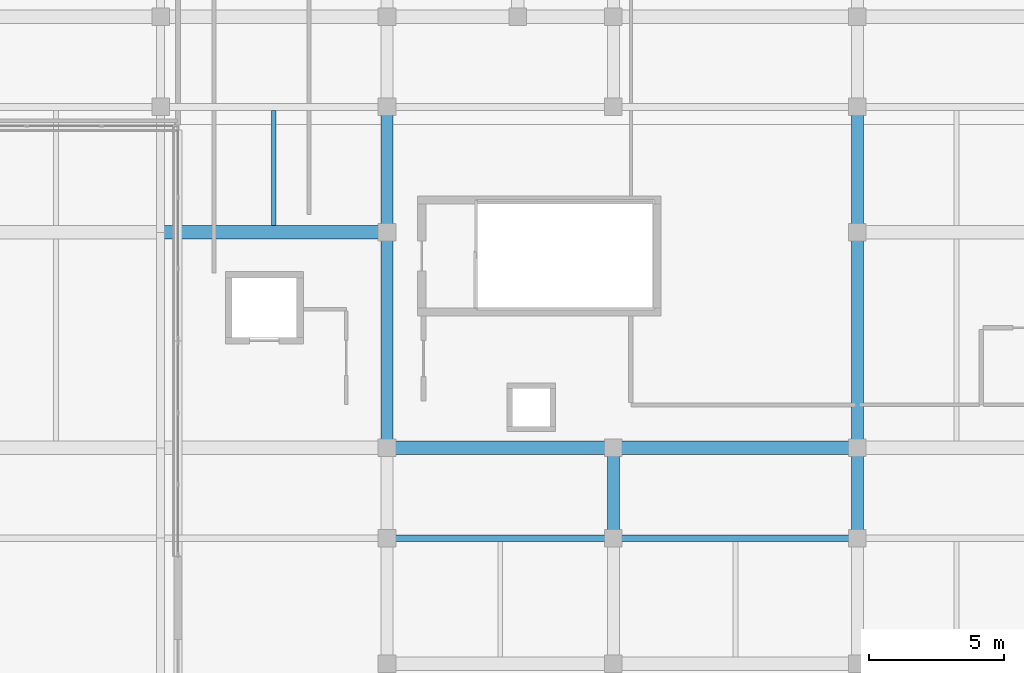
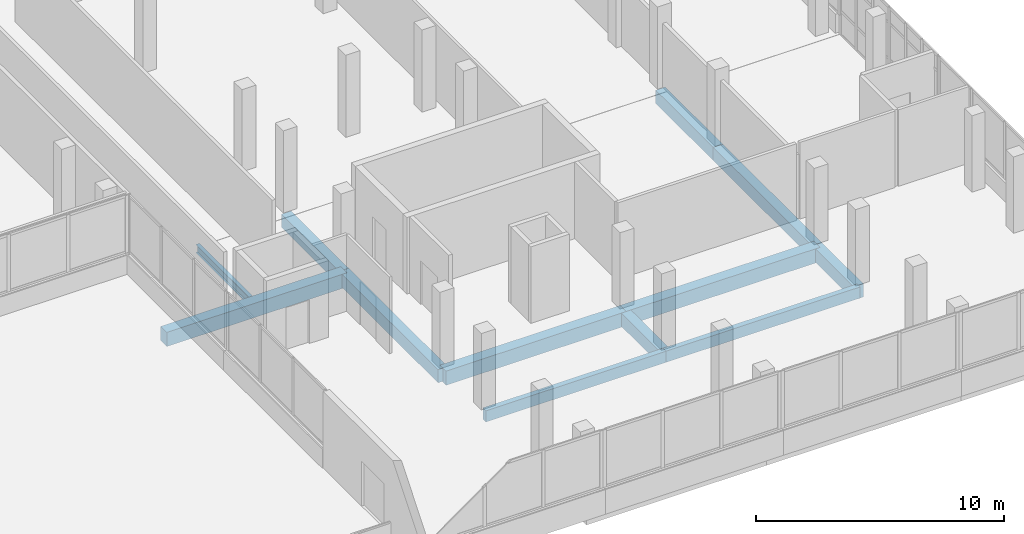
# One storey, part 46 of 78: 12 beams.
"""IFC4 building model written with IfcOpenShell, lengths in metres."""

from ifc_helpers import new_model, si_unit, direction, frame, origin, origin_2d, place, context, subcontext, project, spatial, rectangle, i_section, extrude, material, material_profile, profile_set, type_object, element, save


model = new_model("IFC4")

# Units and contexts
model_context = context("Model", 3, precision=1e-05, world=origin(), true_north=direction((0.0, 1.0)))
body_context = subcontext(model_context, "Body", "Model", "MODEL_VIEW")
ifc_project = project(units=[si_unit("LENGTHUNIT", "METRE"), si_unit("AREAUNIT", "SQUARE_METRE"), si_unit("VOLUMEUNIT", "CUBIC_METRE"), si_unit("PLANEANGLEUNIT", "RADIAN"), si_unit("MASSUNIT", "GRAM", prefix="KILO")], contexts=[model_context])

# Site, building, storey
site_placement = place(None, origin())
site = spatial("IfcSite", under=ifc_project, at=site_placement, CompositionType="ELEMENT")
building_placement = place(site_placement, origin())
building = spatial("IfcBuilding", under=site, at=building_placement, Name="Selatvlak General Hospital", CompositionType="ELEMENT")
storey_placement = place(building_placement, frame((0.0, 0.0, 23.25)))
storey = spatial("IfcBuildingStorey", under=building, at=storey_placement, Name="L05", CompositionType="ELEMENT", Elevation=23.25)

# Beams
ifc_material_1 = material(Name="Concrete C40/50", Category="concrete")
ifc_material_profile_1 = material_profile(ifc_material_1, rectangle(XDim=0.5, YDim=0.699951171875, at=origin_2d()), Name="RC-BM 500x700")
ifc_profile_set_1 = profile_set([ifc_material_profile_1], Name="Concrete C40/50")
beam_type_1 = type_object("IfcBeamType", Name="BM-G03", PredefinedType="BEAM", material=ifc_profile_set_1)
beam_1_placement = place(storey_placement, frame((156.550048828125, 76.0, -0.6298828125), z_axis=(1.0, 0.0, 0.0), x_axis=(0.0, 1.0, 0.0)))
element("IfcBeam", 1, at=beam_1_placement, inside=storey, type_object=beam_type_1, Name="Beam BMR-L05-1876", PredefinedType="BEAM", context=body_context, shape_type="SweptSolid", body=[
    extrude(rectangle(XDim=0.5, YDim=0.699951171875, at=origin_2d()), origin(), (0.0, 0.0, 1.0), 8.39990234375),
])
beam_2_placement = place(storey_placement, frame((164.949951171875, 76.0, -0.6298828125), z_axis=(1.0, 0.0, 0.0), x_axis=(0.0, 1.0, 0.0)))
element("IfcBeam", 2, at=beam_2_placement, inside=storey, type_object=beam_type_1, Name="Beam BMR-L05-1877", PredefinedType="BEAM", context=body_context, shape_type="SweptSolid", body=[
    extrude(rectangle(XDim=0.5, YDim=0.699951171875, at=origin_2d()), origin(), (0.0, 0.0, 1.0), 9.050048828125),
])
beam_3_placement = place(storey_placement, frame((148.14990234375, 84.0, -0.6298828125), z_axis=(1.0, 0.0, 0.0), x_axis=(0.0, 1.0, 0.0)))
element("IfcBeam", 3, at=beam_3_placement, inside=storey, type_object=beam_type_1, Name="Beam BMR-L05-1882", PredefinedType="BEAM", context=body_context, shape_type="SweptSolid", body=[
    extrude(rectangle(XDim=0.5, YDim=0.699951171875, at=origin_2d()), origin(), (0.0, 0.0, 1.0), 8.400146484375),
])
ifc_material_profile_2 = material_profile(ifc_material_1, rectangle(XDim=0.449951171875, YDim=0.64990234375, at=origin_2d()), Name="RC-BM 450x650")
ifc_profile_set_2 = profile_set([ifc_material_profile_2], Name="Concrete C40/50")
beam_type_2 = type_object("IfcBeamType", Name="BM-G04", PredefinedType="BEAM", material=ifc_profile_set_2)
beam_4_placement = place(storey_placement, frame((156.550048828125, 76.0, -0.60498046875), z_axis=(0.0, 1.0, 0.0), x_axis=(-1.0, 0.0, 0.0)))
element("IfcBeam", 4, at=beam_4_placement, inside=storey, type_object=beam_type_2, Name="Beam BMR-L05-2081", PredefinedType="BEAM", context=body_context, shape_type="SweptSolid", body=[
    extrude(rectangle(XDim=0.449951171875, YDim=0.64990234375, at=origin_2d()), origin(), (0.0, 0.0, 1.0), 8.0),
])
beam_5_placement = place(storey_placement, frame((156.550048828125, 84.0, -0.60498046875), z_axis=(0.0, 1.0, 0.0), x_axis=(-1.0, 0.0, 0.0)))
element("IfcBeam", 5, at=beam_5_placement, inside=storey, type_object=beam_type_2, Name="Beam BMR-L05-2082", PredefinedType="BEAM", context=body_context, shape_type="SweptSolid", body=[
    extrude(rectangle(XDim=0.449951171875, YDim=0.64990234375, at=origin_2d()), origin(), (0.0, 0.0, 1.0), 4.64990234375),
])
for number, where, z_axis, x_axis, name in (
    (6, (164.949951171875, 72.64990234375, -0.60498046875), (0.0, 1.0, 0.0), (-1.0, 0.0, 0.0), "Beam BMR-L05-2090"),
    (7, (174.0, 72.64990234375, -0.60498046875), (0.0, 1.0, 0.0), (-1.0, 0.0, 0.0), "Beam BMR-L05-2097"),
):
    element("IfcBeam", number, at=place(storey_placement, frame(where, z_axis=z_axis, x_axis=x_axis)), inside=storey, type_object=beam_type_2, Name=name, PredefinedType="BEAM", context=body_context, shape_type="SweptSolid", body=[
        extrude(rectangle(XDim=0.449951171875, YDim=0.64990234375, at=origin_2d()), origin(), (0.0, 0.0, 1.0), 3.35009765625),
    ])
beam_6_placement = place(storey_placement, frame((174.0, 76.0, -0.60498046875), z_axis=(0.0, 1.0, 0.0), x_axis=(-1.0, 0.0, 0.0)))
element("IfcBeam", 8, at=beam_6_placement, inside=storey, type_object=beam_type_2, Name="Beam BMR-L05-2098", PredefinedType="BEAM", context=body_context, shape_type="SweptSolid", body=[
    extrude(rectangle(XDim=0.449951171875, YDim=0.64990234375, at=origin_2d()), origin(), (0.0, 0.0, 1.0), 8.0),
])
beam_7_placement = place(storey_placement, frame((174.0, 84.0, -0.60498046875), z_axis=(0.0, 1.0, 0.0), x_axis=(-1.0, 0.0, 0.0)))
element("IfcBeam", 9, at=beam_7_placement, inside=storey, type_object=beam_type_2, Name="Beam BMR-L05-2099", PredefinedType="BEAM", context=body_context, shape_type="SweptSolid", body=[
    extrude(rectangle(XDim=0.449951171875, YDim=0.64990234375, at=origin_2d()), origin(), (0.0, 0.0, 1.0), 4.64990234375),
])
ifc_material_2 = material(Name="Steel S355", Category="steel")
ifc_material_profile_3 = material_profile(ifc_material_2, i_section(OverallWidth=0.177978515625, OverallDepth=0.406494140625, WebThickness=0.0078125, FlangeThickness=0.0126953125, at=origin_2d()), Name="UB 406x178x60")
ifc_profile_set_3 = profile_set([ifc_material_profile_3], Name="Steel S355")
beam_type_3 = type_object("IfcBeamType", Name="BM-J04", PredefinedType="JOIST", material=ifc_profile_set_3)
beam_8_placement = place(storey_placement, frame((152.35009765625, 84.25, -0.48291015625), z_axis=(0.0, 1.0, 0.0), x_axis=(-1.0, 0.0, 0.0)))
element("IfcBeam", 10, at=beam_8_placement, inside=storey, type_object=beam_type_3, Name="Beam BMR-L05-2125", PredefinedType="JOIST", context=body_context, shape_type="SweptSolid", body=[
    extrude(i_section(OverallWidth=0.177978515625, OverallDepth=0.406494140625, WebThickness=0.0078125, FlangeThickness=0.0126953125, at=origin_2d()), origin(), (0.0, 0.0, 1.0), 4.27490234375),
])
ifc_material_profile_4 = material_profile(ifc_material_1, rectangle(XDim=0.25, YDim=0.550048828125, at=origin_2d()), Name="RC-SP 250x550")
ifc_profile_set_4 = profile_set([ifc_material_profile_4], Name="Concrete C40/50")
beam_type_4 = type_object("IfcBeamType", Name="BM-SP2", PredefinedType="SPANDREL", material=ifc_profile_set_4)
beam_9_placement = place(storey_placement, frame((156.550048828125, 72.64990234375, -0.554931640625), z_axis=(1.0, 0.0, 0.0), x_axis=(0.0, 1.0, 0.0)))
element("IfcBeam", 11, at=beam_9_placement, inside=storey, type_object=beam_type_4, Name="Beam BMR-L05-1868", PredefinedType="SPANDREL", context=body_context, shape_type="SweptSolid", body=[
    extrude(rectangle(XDim=0.25, YDim=0.550048828125, at=origin_2d()), origin(), (0.0, 0.0, 1.0), 8.39990234375),
])
beam_10_placement = place(storey_placement, frame((164.949951171875, 72.64990234375, -0.554931640625), z_axis=(1.0, 0.0, 0.0), x_axis=(0.0, 1.0, 0.0)))
element("IfcBeam", 12, at=beam_10_placement, inside=storey, type_object=beam_type_4, Name="Beam BMR-L05-1869", PredefinedType="SPANDREL", context=body_context, shape_type="SweptSolid", body=[
    extrude(rectangle(XDim=0.25, YDim=0.550048828125, at=origin_2d()), origin(), (0.0, 0.0, 1.0), 9.050048828125),
])

save(model, "model.ifc")
